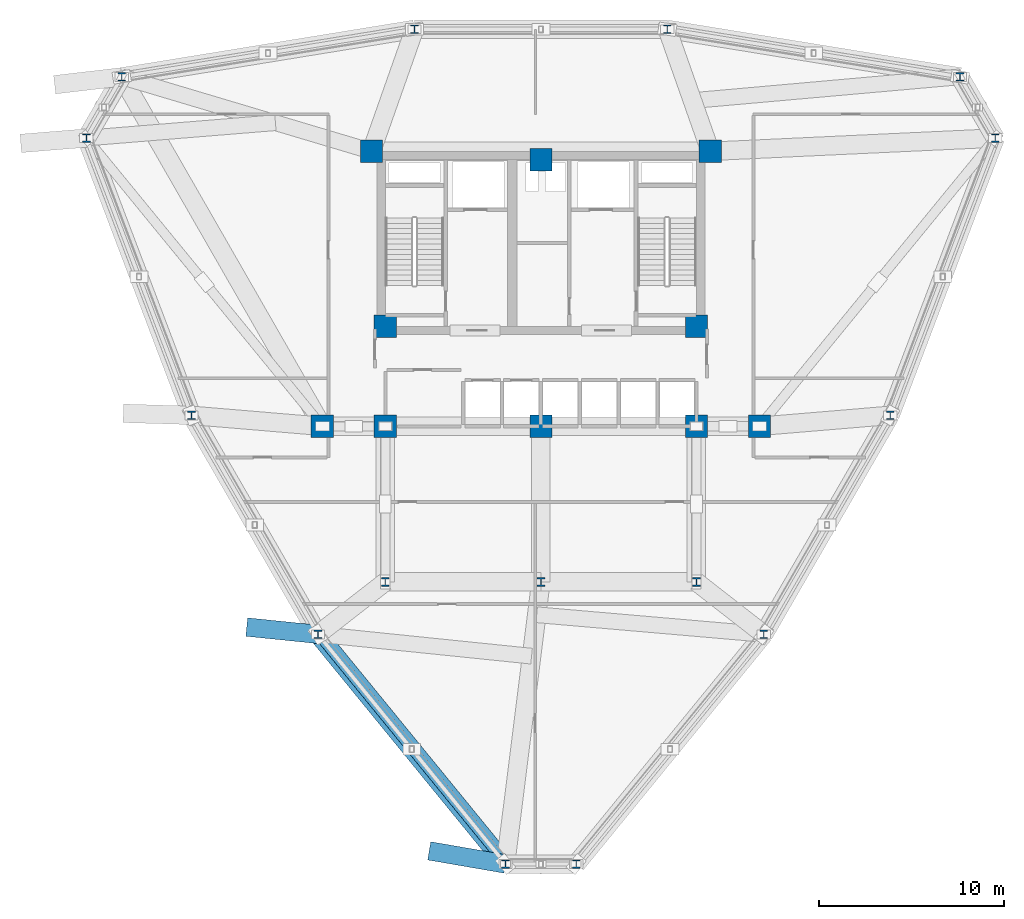
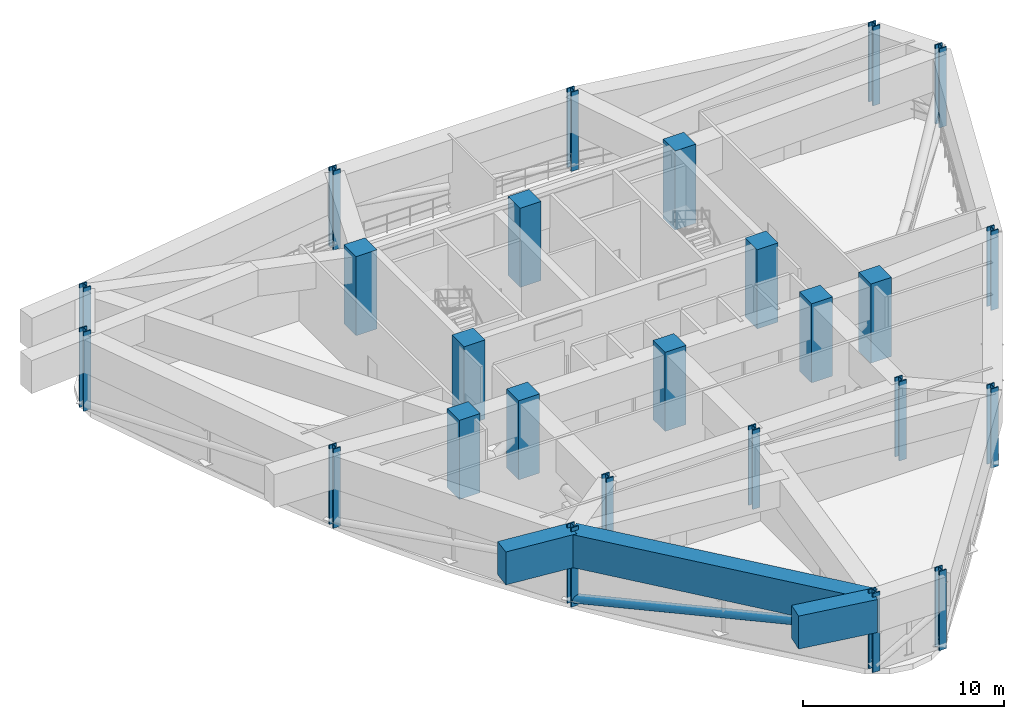
# One storey, part 1 of 13: 25 columns, 3 beams, 1 member.
"""IFC4 building model written with IfcOpenShell, lengths in metres."""

import ifcopenshell
import ifcopenshell.guid

model = None  # the IFC model being written
_history = None  # IfcOwnerHistory: only IFC2X3 demands one
_inside = {}  # id of a spatial element -> (the spatial element, [elements in it])
_under = {}  # id of a project, library or spatial element -> (it, [spatial elements below it])
_declared = {}  # id of a project -> (the project, [libraries it declares])
_typed = {}  # id of a type object -> (the type object, [elements of that type])
_made_of = {}  # id of a material, layer set ... -> (it, [elements and type objects made of it])


def new_model(schema):
    """Start an empty IFC model of exactly this schema.

    Asked for "IFC4X3", IfcOpenShell would pick the latest addendum, in which some entities
    have other attributes; the version numbers below select the first issue.
    IFC2X3 requires an IfcOwnerHistory on every rooted entity: one is made here for all.
    """
    global model, _history
    if schema == "IFC4X3":
        model = ifcopenshell.file(schema_version=(4, 3, 0, 0))
    else:
        model = ifcopenshell.file(schema=schema)
    _inside.clear()
    _under.clear()
    _declared.clear()
    _typed.clear()
    _made_of.clear()
    _history = None
    if model.schema == "IFC2X3":
        org = make("IfcOrganization", Name="unknown")
        user = make(
            "IfcPersonAndOrganization",
            ThePerson=make("IfcPerson", FamilyName="unknown"),
            TheOrganization=org,
        )
        app = make(
            "IfcApplication",
            ApplicationDeveloper=org,
            Version="unknown",
            ApplicationFullName="unknown",
            ApplicationIdentifier="unknown",
        )
        _history = make(
            "IfcOwnerHistory",
            OwningUser=user,
            OwningApplication=app,
            ChangeAction="ADDED",
            CreationDate=0,
        )
    return model


def make(cls, **values):
    """One entity of the class cls with the attributes given. An attribute that is None is left unset."""
    return model.create_entity(
        cls, **{name: value for name, value in values.items() if value is not None}
    )


def rooted(cls, **values):
    """An entity with a GlobalId (a new one), such as an element, a storey or a relation."""
    return make(cls, GlobalId=ifcopenshell.guid.new(), OwnerHistory=_history, **values)


def si_unit(unit_type, name, prefix=None):
    """IfcSIUnit, for example si_unit("LENGTHUNIT", "METRE", prefix="MILLI")."""
    return make("IfcSIUnit", UnitType=unit_type, Prefix=prefix, Name=name)


def derived_unit(unit_type, elements):
    """IfcDerivedUnit: a product of units, each with its exponent."""
    return make(
        "IfcDerivedUnit",
        Elements=[
            make("IfcDerivedUnitElement", Unit=unit, Exponent=power)
            for unit, power in elements
        ],
        UnitType=unit_type,
    )


def assignment(units):
    """IfcUnitAssignment: the units of a project."""
    return None if units is None else make("IfcUnitAssignment", Units=units)


def point(xyz):
    """IfcCartesianPoint."""
    return None if xyz is None else make("IfcCartesianPoint", Coordinates=xyz)


def direction(xyz):
    """IfcDirection."""
    return None if xyz is None else make("IfcDirection", DirectionRatios=xyz)


def frame(location, z_axis=None, x_axis=None):
    """IfcAxis2Placement3D, a coordinate frame: its origin and axes. An axis left out is left unset."""
    return make(
        "IfcAxis2Placement3D",
        Location=point(location),
        Axis=direction(z_axis),
        RefDirection=direction(x_axis),
    )


def frame_2d(location, x_axis=None):
    """IfcAxis2Placement2D, a coordinate frame in the plane: its origin and x axis."""
    return make(
        "IfcAxis2Placement2D", Location=point(location), RefDirection=direction(x_axis)
    )


def origin():
    """The frame at (0, 0, 0) with its axes left unset."""
    return frame((0.0, 0.0, 0.0))


def origin_2d():
    """The frame at (0, 0) in the plane with its x axis left unset."""
    return frame_2d((0.0, 0.0))


def place(relative_to, where):
    """IfcLocalPlacement: puts the frame where relative to a parent placement (None: the world)."""
    return make(
        "IfcLocalPlacement", PlacementRelTo=relative_to, RelativePlacement=where
    )


def context(
    kind, dimensions, precision=None, world=None, true_north=None, identifier=None
):
    """IfcGeometricRepresentationContext, for example the 3D "Model" context."""
    return make(
        "IfcGeometricRepresentationContext",
        ContextIdentifier=identifier,
        ContextType=kind,
        CoordinateSpaceDimension=dimensions,
        Precision=precision,
        WorldCoordinateSystem=world,
        TrueNorth=true_north,
    )


def subcontext(parent, identifier, kind, view, scale=None):
    """IfcGeometricRepresentationSubContext, for example "Body" below "Model"."""
    return make(
        "IfcGeometricRepresentationSubContext",
        ContextIdentifier=identifier,
        ContextType=kind,
        ParentContext=parent,
        TargetScale=scale,
        TargetView=view,
    )


def project(units=None, contexts=None):
    """IfcProject with its units and contexts."""
    return rooted(
        "IfcProject",
        Name="project",
        RepresentationContexts=contexts,
        UnitsInContext=assignment(units),
    )


def spatial(cls, under=None, at=None, **own):
    """A site, building, storey or space (cls), placed at a placement, below another one or the project."""
    s = rooted(cls, ObjectPlacement=at, **own)
    if under is not None:
        _under.setdefault(under.id(), (under, []))[1].append(s)
    return s


def profile(cls, at=None, kind="AREA", **sizes):
    """A parametric profile (cls). Its sizes go by their IFC names, for example OverallWidth=200.0."""
    return make(cls, ProfileType=kind, Position=at, **sizes)


def rectangle(**sizes):
    """IfcRectangleProfileDef."""
    return profile("IfcRectangleProfileDef", **sizes)


def hollow_circle(**sizes):
    """IfcCircleHollowProfileDef."""
    return profile("IfcCircleHollowProfileDef", **sizes)


def i_section(**sizes):
    """IfcIShapeProfileDef."""
    return profile("IfcIShapeProfileDef", **sizes)


def extrude(swept, where, along, depth):
    """IfcExtrudedAreaSolid: the profile swept, set in the frame where, extruded along a direction by depth."""
    return make(
        "IfcExtrudedAreaSolid",
        SweptArea=swept,
        Position=where,
        ExtrudedDirection=direction(along),
        Depth=depth,
    )


def shape(context_of_items, identifier, shape_type, items):
    """IfcShapeRepresentation: the items that make up one representation, for example the "Body"."""
    return make(
        "IfcShapeRepresentation",
        ContextOfItems=context_of_items,
        RepresentationIdentifier=identifier,
        RepresentationType=shape_type,
        Items=items,
    )


def source(mapping_origin, context_of_items, identifier, shape_type, items):
    """IfcRepresentationMap: a shape defined once, which mapped items show again and again."""
    return make(
        "IfcRepresentationMap",
        MappingOrigin=mapping_origin,
        MappedRepresentation=shape(context_of_items, identifier, shape_type, items),
    )


def transform(
    local_origin,
    x_axis=None,
    y_axis=None,
    z_axis=None,
    scale=None,
    scale2=None,
    scale3=None,
    uniform=True,
):
    """IfcCartesianTransformationOperator3D, or its non-uniform kind. x_axis, y_axis, z_axis: its Axis1, 2, 3."""
    if uniform:
        return make(
            "IfcCartesianTransformationOperator3D",
            Axis1=direction(x_axis),
            Axis2=direction(y_axis),
            LocalOrigin=point(local_origin),
            Scale=scale,
            Axis3=direction(z_axis),
        )
    return make(
        "IfcCartesianTransformationOperator3DnonUniform",
        Axis1=direction(x_axis),
        Axis2=direction(y_axis),
        LocalOrigin=point(local_origin),
        Scale=scale,
        Axis3=direction(z_axis),
        Scale2=scale2,
        Scale3=scale3,
    )


def mapped(mapping_source, mapping_target):
    """IfcMappedItem: shows the shape of a source again, moved by a transform."""
    return make(
        "IfcMappedItem", MappingSource=mapping_source, MappingTarget=mapping_target
    )


def material(Name=None, Category=None):
    """IfcMaterial."""
    return make("IfcMaterial", Name=Name, Category=Category)


def material_profile(
    of_material, cross_section, Name=None, Category=None, Priority=None
):
    """IfcMaterialProfile: a cross section and its material."""
    return make(
        "IfcMaterialProfile",
        Name=Name,
        Material=of_material,
        Profile=cross_section,
        Priority=Priority,
        Category=Category,
    )


def profile_set(profiles, Name=None, composite=None):
    """IfcMaterialProfileSet."""
    return make(
        "IfcMaterialProfileSet",
        Name=Name,
        MaterialProfiles=profiles,
        CompositeProfile=composite,
    )


def made_of(thing, what):
    """Note that an element or type object is made of a material, layer set ...; save() writes the relation."""
    if what is not None:
        _made_of.setdefault(what.id(), (what, []))[1].append(thing)
    return thing


def type_object(cls, material=None, **own):
    """A type object (cls), such as IfcWallType, which elements share."""
    return made_of(rooted(cls, **own), material)


def element(
    cls,
    number,
    at=None,
    inside=None,
    cuts=None,
    type_object=None,
    material=None,
    context=None,
    identifier="Body",
    shape_type=None,
    held_by="IfcProductDefinitionShape",
    body=None,
    shapes=None,
    **own,
):
    """One element of the class cls, such as IfcWall. Its Tag is "e" and its number.

    at: its placement. inside: the storey or other place that contains it. cuts: it is an
    opening in that element (IfcRelVoidsElement). A single representation is given by context,
    identifier, shape_type and body (its items); several are given by shapes. held_by: the class
    of the entity that holds the representations. save() writes the other relations.
    """
    e = rooted(cls, Tag="e%d" % number, ObjectPlacement=at, **own)
    if body is not None:
        shapes = [shape(context, identifier, shape_type, body)]
    if shapes is not None:
        e.Representation = make(held_by, Representations=shapes)
    if inside is not None:
        _inside.setdefault(inside.id(), (inside, []))[1].append(e)
    if cuts is not None:
        rooted(
            "IfcRelVoidsElement", RelatingBuildingElement=cuts, RelatedOpeningElement=e
        )
    if type_object is not None:
        _typed.setdefault(type_object.id(), (type_object, []))[1].append(e)
    return made_of(e, material)


def aggregate(whole, parts):
    """IfcRelAggregates: a whole, such as a stair, and the parts it consists of."""
    return rooted("IfcRelAggregates", RelatingObject=whole, RelatedObjects=parts)


def save(model, path):
    """Write the relations noted so far, then the file.

    IfcRelAggregates (storeys below a building ...), IfcRelContainedInSpatialStructure (elements
    in a storey), IfcRelDefinesByType, IfcRelAssociatesMaterial and IfcRelDeclares: one each for
    every whole, place, type object, material and project.
    """
    for whole, parts in _under.values():
        aggregate(whole, parts)
    for where, things in _inside.values():
        rooted(
            "IfcRelContainedInSpatialStructure",
            RelatedElements=things,
            RelatingStructure=where,
        )
    for kind, things in _typed.values():
        rooted("IfcRelDefinesByType", RelatedObjects=things, RelatingType=kind)
    for what, things in _made_of.values():
        rooted("IfcRelAssociatesMaterial", RelatedObjects=things, RelatingMaterial=what)
    for by, libraries in _declared.values():
        rooted("IfcRelDeclares", RelatingContext=by, RelatedDefinitions=libraries)
    model.write(path)


model = new_model("IFC4")

# Units and contexts
model_context = context("Model", 3, precision=1e-05, world=origin(), true_north=direction((0.0, 1.0)))
body_context = subcontext(model_context, "Body", "Model", "MODEL_VIEW")
ifc_project = project(units=[si_unit("LENGTHUNIT", "METRE"), si_unit("AREAUNIT", "SQUARE_METRE"), si_unit("VOLUMEUNIT", "CUBIC_METRE"), si_unit("PLANEANGLEUNIT", "RADIAN"), si_unit("MASSUNIT", "GRAM", prefix="KILO"), derived_unit("THERMALTRANSMITTANCEUNIT", [(si_unit("POWERUNIT", "WATT"), 1), (si_unit("LENGTHUNIT", "METRE"), -2), (si_unit("THERMODYNAMICTEMPERATUREUNIT", "KELVIN"), -1)])], contexts=[model_context])

# Site, building, storey
site_placement = place(None, origin())
site = spatial("IfcSite", under=ifc_project, at=site_placement, CompositionType="ELEMENT")
building_placement = place(site_placement, origin())
building = spatial("IfcBuilding", under=site, at=building_placement, Name="Korsvarv Bourse and Concert Hall", CompositionType="ELEMENT")
storey_placement = place(building_placement, frame((0.0, 0.0, 131.39990234375)))
storey = spatial("IfcBuildingStorey", under=building, at=storey_placement, Name="L33", CompositionType="ELEMENT", Elevation=131.39990234375)

# Columns
ifc_material_1 = material(Name="Steel S460", Category="steel")
ifc_material_profile_1 = material_profile(ifc_material_1, i_section(OverallWidth=0.424072265625, OverallDepth=0.47412109375, WebThickness=0.044921875, FlangeThickness=0.072021484375, FilletRadius=0.014892578125, at=origin_2d()), Name="HD 400x634")
ifc_profile_set_1 = profile_set([ifc_material_profile_1], Name="Steel S460")
column_type_1 = type_object("IfcColumnType", Name="COL-HD634", PredefinedType="COLUMN", material=ifc_profile_set_1)
shared_shape_1 = source(origin(), body_context, "Body", "SweptSolid", [
    extrude(i_section(OverallWidth=0.424072265625, OverallDepth=0.47412109375, WebThickness=0.044921875, FlangeThickness=0.072021484375, FilletRadius=0.014892578125, at=origin_2d()), origin(), (0.0, 0.0, 1.0), 4.800048828125),
])
for number, where, z_axis, x_axis, name in (
    (1, (27.60009765625, 24.0, 0.0), (0.0, 0.0, 1.0), (1.0, 0.0, 0.0), "L33 column C-07"),
    (2, (44.39990234375, 24.0, 0.0), (0.0, 0.0, 1.0), (1.0, 0.0, 0.0), "L33 column C-07"),
    (3, (36.0, 24.0, 0.0), (0.0, 0.0, 1.0), (1.0, 0.0, 0.0), "L33 column C-07"),
):
    element("IfcColumn", number, at=place(storey_placement, frame(where, z_axis=z_axis, x_axis=x_axis)), inside=storey, type_object=column_type_1, Name=name, PredefinedType="COLUMN", context=body_context, shape_type="MappedRepresentation", body=[
        mapped(shared_shape_1, transform((0.0, 0.0, 0.0), scale=1.0)),
    ])
ifc_material_2 = material(Name="Concrete C60/75", Category="concrete")
ifc_material_profile_2 = material_profile(ifc_material_2, rectangle(XDim=1.199951171875, YDim=1.199951171875, at=origin_2d()), Name="RC 1200x1200")
ifc_profile_set_2 = profile_set([ifc_material_profile_2], Name="Concrete C60/75")
column_type_2 = type_object("IfcColumnType", Name="COL-RC1200", PredefinedType="COLUMN", material=ifc_profile_set_2)
shared_shape_2 = source(origin(), body_context, "Body", "SweptSolid", [
    extrude(rectangle(XDim=1.199951171875, YDim=1.199951171875, at=origin_2d()), origin(), (0.0, 0.0, 1.0), 4.800048828125),
])
for number, where, z_axis, x_axis, name in (
    (4, (26.85009765625, 47.25, 0.0), (0.0, 0.0, 1.0), (1.0, 0.0, 0.0), "L33 column C-02"),
    (5, (45.14990234375, 47.25, 0.0), (0.0, 0.0, 1.0), (1.0, 0.0, 0.0), "L33 column C-02"),
    (6, (27.60009765625, 37.800048828125, 0.0), (0.0, 0.0, 1.0), (1.0, 0.0, 0.0), "L33 column C-02"),
    (7, (44.39990234375, 37.800048828125, 0.0), (0.0, 0.0, 1.0), (1.0, 0.0, 0.0), "L33 column C-02"),
    (8, (27.60009765625, 32.39990234375, 0.0), (0.0, 0.0, 1.0), (1.0, 0.0, 0.0), "L33 column C-02"),
    (9, (44.39990234375, 32.39990234375, 0.0), (0.0, 0.0, 1.0), (1.0, 0.0, 0.0), "L33 column C-02"),
    (10, (36.0, 46.800048828125, 0.0), (0.0, 0.0, 1.0), (1.0, 0.0, 0.0), "L33 column C-02"),
    (11, (36.0, 32.39990234375, 0.0), (0.0, 0.0, 1.0), (1.0, 0.0, 0.0), "L33 column C-02"),
    (12, (24.199951171875, 32.39990234375, 0.0), (0.0, 0.0, 1.0), (1.0, 0.0, 0.0), "L33 column C-02"),
    (13, (47.800048828125, 32.39990234375, 0.0), (0.0, 0.0, 1.0), (1.0, 0.0, 0.0), "L33 column C-02"),
):
    element("IfcColumn", number, at=place(storey_placement, frame(where, z_axis=z_axis, x_axis=x_axis)), inside=storey, type_object=column_type_2, Name=name, PredefinedType="COLUMN", context=body_context, shape_type="MappedRepresentation", body=[
        mapped(shared_shape_2, transform((0.0, 0.0, 0.0), scale=1.0)),
    ])
ifc_material_profile_3 = material_profile(ifc_material_1, i_section(OverallWidth=0.41796875, OverallDepth=0.455078125, WebThickness=0.0390625, FlangeThickness=0.06298828125, FilletRadius=0.014892578125, at=origin_2d()), Name="HD 400x551")
ifc_profile_set_3 = profile_set([ifc_material_profile_3], Name="Steel S460")
column_type_3 = type_object("IfcColumnType", Name="COL-HD551", PredefinedType="COLUMN", material=ifc_profile_set_3)
shared_shape_3 = source(origin(), body_context, "Body", "SweptSolid", [
    extrude(i_section(OverallWidth=0.41796875, OverallDepth=0.455078125, WebThickness=0.0390625, FlangeThickness=0.06298828125, FilletRadius=0.014892578125, at=origin_2d()), origin(), (0.0, 0.0, 1.0), 4.800048828125),
])
for number, where, z_axis, x_axis, name in (
    (14, (60.541748046875, 47.966064453125, 0.0), (0.0, 0.0, 1.0), (1.0, 0.0, 0.0), "L33 column C-08"),
    (15, (58.6337890625, 51.270751953125, 0.0), (0.0, 0.0, 1.0), (1.0, 0.0, 0.0), "L33 column C-08"),
    (16, (42.82666015625, 53.84130859375, 0.0), (0.0, 0.0, 1.0), (1.0, 0.0, 0.0), "L33 column C-08"),
    (17, (29.17333984375, 53.84130859375, 0.0), (0.0, 0.0, 1.0), (1.0, 0.0, 0.0), "L33 column C-08"),
    (18, (13.3662109375, 51.270751953125, 0.0), (0.0, 0.0, 1.0), (1.0, 0.0, 0.0), "L33 column C-08"),
    (19, (11.458251953125, 47.966064453125, 0.0), (0.0, 0.0, 1.0), (1.0, 0.0, 0.0), "L33 column C-08"),
    (20, (17.1357421875, 32.991455078125, 0.0), (0.0, 0.0, 1.0), (1.0, 0.0, 0.0), "L33 column C-08"),
    (21, (23.96240234375, 21.167236328125, 0.0), (0.0, 0.0, 1.0), (1.0, 0.0, 0.0), "L33 column C-08"),
    (22, (34.092041015625, 8.76318359375, 0.0), (0.0, 0.0, 1.0), (1.0, 0.0, 0.0), "L33 column C-08"),
    (23, (37.907958984375, 8.76318359375, 0.0), (0.0, 0.0, 1.0), (1.0, 0.0, 0.0), "L33 column C-08"),
    (24, (48.03759765625, 21.167236328125, 0.0), (0.0, 0.0, 1.0), (1.0, 0.0, 0.0), "L33 column C-08"),
    (25, (54.8642578125, 32.991455078125, 0.0), (0.0, 0.0, 1.0), (1.0, 0.0, 0.0), "L33 column C-08"),
):
    element("IfcColumn", number, at=place(storey_placement, frame(where, z_axis=z_axis, x_axis=x_axis)), inside=storey, type_object=column_type_3, Name=name, PredefinedType="COLUMN", context=body_context, shape_type="MappedRepresentation", body=[
        mapped(shared_shape_3, transform((0.0, 0.0, 0.0), scale=1.0)),
    ])

# Beams
ifc_material_profile_4 = material_profile(ifc_material_2, rectangle(XDim=1.0, YDim=2.0, at=origin_2d()), Name="RC-BM 1000x2000")
ifc_profile_set_4 = profile_set([ifc_material_profile_4], Name="Concrete C60/75")
beam_type = type_object("IfcBeamType", Name="BM-TR1", PredefinedType="BEAM", material=ifc_profile_set_4)
shared_shape_4 = source(origin(), body_context, "Body", "SweptSolid", [
    extrude(rectangle(XDim=1.0, YDim=2.0, at=origin_2d()), origin(), (0.0, 0.0, 1.0), 16.0146484375),
])
beam_1_placement = place(storey_placement, frame((23.96240234375, 21.167236328125, 3.570068359375), z_axis=(0.632521919704, -0.774542459194, 0.0), x_axis=(0.774542459194, 0.632521919704, 0.0)))
element("IfcBeam", 26, at=beam_1_placement, inside=storey, type_object=beam_type, Name="L33 beam B-TR1", PredefinedType="BEAM", context=body_context, shape_type="MappedRepresentation", body=[
    mapped(shared_shape_4, transform((0.0, 0.0, 0.0), scale=1.0)),
])
shared_shape_5 = source(origin(), body_context, "Body", "SweptSolid", [
    extrude(rectangle(XDim=1.0, YDim=2.0, at=origin_2d()), origin(), (0.0, 0.0, 1.0), 3.86474609375),
])
beam_2_placement = place(storey_placement, frame((23.96240234375, 21.167236328125, 3.570068359375), z_axis=(-0.994808201393, 0.101767590325, 0.0), x_axis=(-0.101767590325, -0.994808201393, 0.0)))
element("IfcBeam", 27, at=beam_2_placement, inside=storey, type_object=beam_type, Name="L33 Block-Shift Transfer Girder 8", PredefinedType="BEAM", context=body_context, shape_type="MappedRepresentation", body=[
    mapped(shared_shape_5, transform((0.0, 0.0, 0.0), scale=1.0)),
])
shared_shape_6 = source(origin(), body_context, "Body", "SweptSolid", [
    extrude(rectangle(XDim=1.0, YDim=2.0, at=origin_2d()), origin(), (0.0, 0.0, 1.0), 4.182861328125),
])
beam_3_placement = place(storey_placement, frame((34.092041015625, 8.76318359375, 3.570068359375), z_axis=(-0.985409860926, 0.170198137444, 0.0), x_axis=(-0.170198137444, -0.985409860926, 0.0)))
element("IfcBeam", 28, at=beam_3_placement, inside=storey, type_object=beam_type, Name="L33 Block-Shift Transfer Girder 9", PredefinedType="BEAM", context=body_context, shape_type="MappedRepresentation", body=[
    mapped(shared_shape_6, transform((0.0, 0.0, 0.0), scale=1.0)),
])

# Member
ifc_material_profile_5 = material_profile(ifc_material_1, hollow_circle(Radius=0.25390625, WallThickness=0.02001953125, at=origin_2d()), Name="CHS 508x20")
ifc_profile_set_5 = profile_set([ifc_material_profile_5], Name="Steel S460")
member_type = type_object("IfcMemberType", Name="MEM-CHS508", PredefinedType="BRACE", material=ifc_profile_set_5)
shared_shape_7 = source(origin(), body_context, "Body", "SweptSolid", [
    extrude(hollow_circle(Radius=0.25390625, WallThickness=0.02001953125, at=origin_2d()), origin(), (0.0, 0.0, 1.0), 16.1611328125),
])
member_placement = place(storey_placement, frame((23.96240234375, 21.167236328125, 0.35009765625), z_axis=(0.626794396876, -0.767528932107, 0.134268843832), x_axis=(0.774542459194, 0.632521919704, 0.0)))
element("IfcMember", 29, at=member_placement, inside=storey, type_object=member_type, Name="L33 Perimeter Belt Truss Diagonal 8", PredefinedType="BRACE", context=body_context, shape_type="MappedRepresentation", body=[
    mapped(shared_shape_7, transform((0.0, 0.0, 0.0), scale=1.0)),
])

save(model, "model.ifc")
